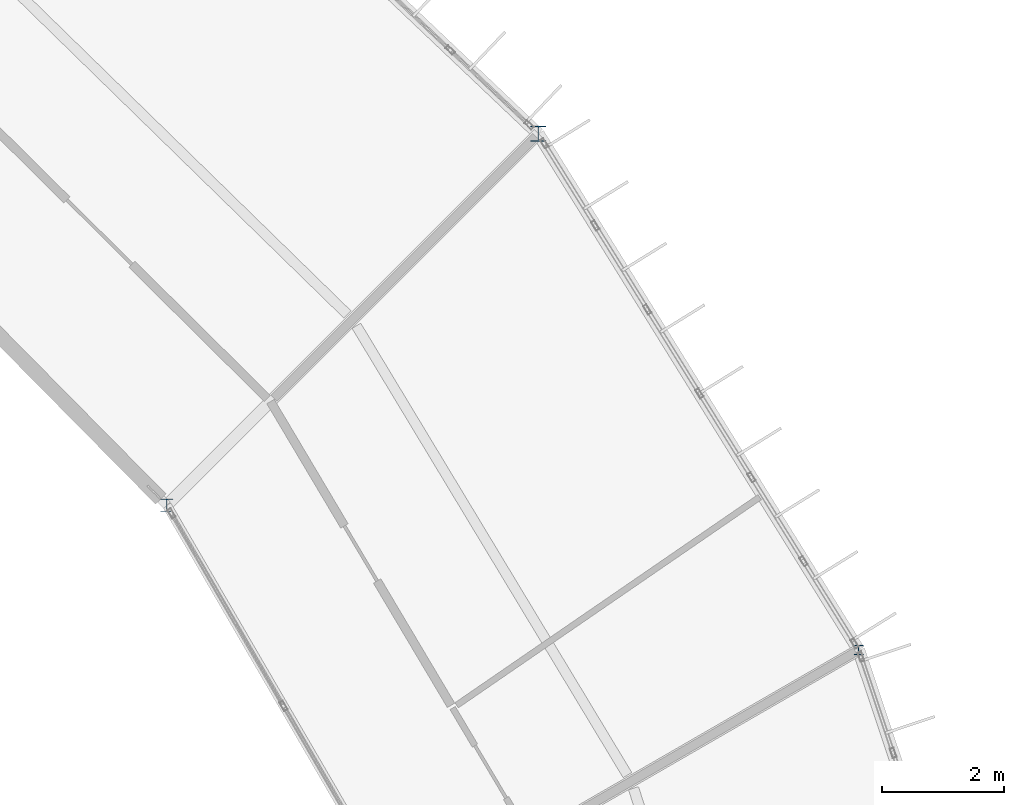
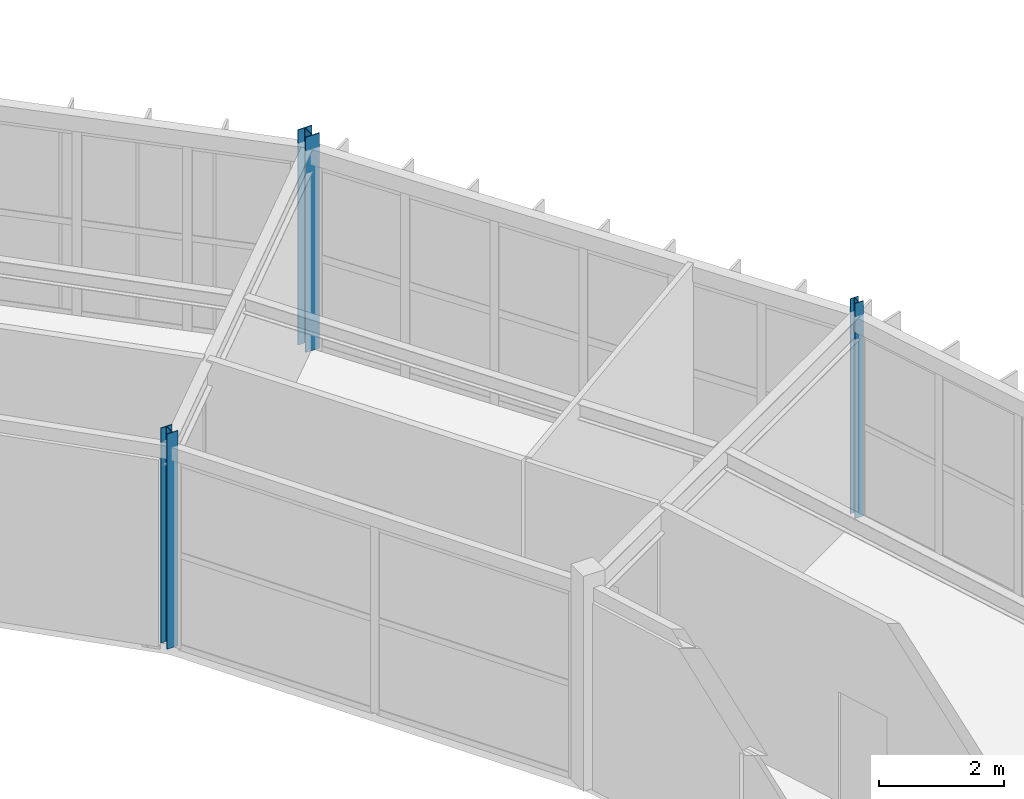
# One storey, part 14 of 134: 3 columns.
"""IFC4 building model written with IfcOpenShell, lengths in metres."""

import ifcopenshell
import ifcopenshell.guid

model = None  # the IFC model being written
_history = None  # IfcOwnerHistory: only IFC2X3 demands one
_inside = {}  # id of a spatial element -> (the spatial element, [elements in it])
_under = {}  # id of a project, library or spatial element -> (it, [spatial elements below it])
_declared = {}  # id of a project -> (the project, [libraries it declares])
_typed = {}  # id of a type object -> (the type object, [elements of that type])
_made_of = {}  # id of a material, layer set ... -> (it, [elements and type objects made of it])


def new_model(schema):
    """Start an empty IFC model of exactly this schema.

    Asked for "IFC4X3", IfcOpenShell would pick the latest addendum, in which some entities
    have other attributes; the version numbers below select the first issue.
    IFC2X3 requires an IfcOwnerHistory on every rooted entity: one is made here for all.
    """
    global model, _history
    if schema == "IFC4X3":
        model = ifcopenshell.file(schema_version=(4, 3, 0, 0))
    else:
        model = ifcopenshell.file(schema=schema)
    _inside.clear()
    _under.clear()
    _declared.clear()
    _typed.clear()
    _made_of.clear()
    _history = None
    if model.schema == "IFC2X3":
        org = make("IfcOrganization", Name="unknown")
        user = make(
            "IfcPersonAndOrganization",
            ThePerson=make("IfcPerson", FamilyName="unknown"),
            TheOrganization=org,
        )
        app = make(
            "IfcApplication",
            ApplicationDeveloper=org,
            Version="unknown",
            ApplicationFullName="unknown",
            ApplicationIdentifier="unknown",
        )
        _history = make(
            "IfcOwnerHistory",
            OwningUser=user,
            OwningApplication=app,
            ChangeAction="ADDED",
            CreationDate=0,
        )
    return model


def make(cls, **values):
    """One entity of the class cls with the attributes given. An attribute that is None is left unset."""
    return model.create_entity(
        cls, **{name: value for name, value in values.items() if value is not None}
    )


def rooted(cls, **values):
    """An entity with a GlobalId (a new one), such as an element, a storey or a relation."""
    return make(cls, GlobalId=ifcopenshell.guid.new(), OwnerHistory=_history, **values)


def si_unit(unit_type, name, prefix=None):
    """IfcSIUnit, for example si_unit("LENGTHUNIT", "METRE", prefix="MILLI")."""
    return make("IfcSIUnit", UnitType=unit_type, Prefix=prefix, Name=name)


def assignment(units):
    """IfcUnitAssignment: the units of a project."""
    return None if units is None else make("IfcUnitAssignment", Units=units)


def point(xyz):
    """IfcCartesianPoint."""
    return None if xyz is None else make("IfcCartesianPoint", Coordinates=xyz)


def direction(xyz):
    """IfcDirection."""
    return None if xyz is None else make("IfcDirection", DirectionRatios=xyz)


def frame(location, z_axis=None, x_axis=None):
    """IfcAxis2Placement3D, a coordinate frame: its origin and axes. An axis left out is left unset."""
    return make(
        "IfcAxis2Placement3D",
        Location=point(location),
        Axis=direction(z_axis),
        RefDirection=direction(x_axis),
    )


def frame_2d(location, x_axis=None):
    """IfcAxis2Placement2D, a coordinate frame in the plane: its origin and x axis."""
    return make(
        "IfcAxis2Placement2D", Location=point(location), RefDirection=direction(x_axis)
    )


def origin():
    """The frame at (0, 0, 0) with its axes left unset."""
    return frame((0.0, 0.0, 0.0))


def origin_2d():
    """The frame at (0, 0) in the plane with its x axis left unset."""
    return frame_2d((0.0, 0.0))


def place(relative_to, where):
    """IfcLocalPlacement: puts the frame where relative to a parent placement (None: the world)."""
    return make(
        "IfcLocalPlacement", PlacementRelTo=relative_to, RelativePlacement=where
    )


def context(
    kind, dimensions, precision=None, world=None, true_north=None, identifier=None
):
    """IfcGeometricRepresentationContext, for example the 3D "Model" context."""
    return make(
        "IfcGeometricRepresentationContext",
        ContextIdentifier=identifier,
        ContextType=kind,
        CoordinateSpaceDimension=dimensions,
        Precision=precision,
        WorldCoordinateSystem=world,
        TrueNorth=true_north,
    )


def subcontext(parent, identifier, kind, view, scale=None):
    """IfcGeometricRepresentationSubContext, for example "Body" below "Model"."""
    return make(
        "IfcGeometricRepresentationSubContext",
        ContextIdentifier=identifier,
        ContextType=kind,
        ParentContext=parent,
        TargetScale=scale,
        TargetView=view,
    )


def project(units=None, contexts=None):
    """IfcProject with its units and contexts."""
    return rooted(
        "IfcProject",
        Name="project",
        RepresentationContexts=contexts,
        UnitsInContext=assignment(units),
    )


def spatial(cls, under=None, at=None, **own):
    """A site, building, storey or space (cls), placed at a placement, below another one or the project."""
    s = rooted(cls, ObjectPlacement=at, **own)
    if under is not None:
        _under.setdefault(under.id(), (under, []))[1].append(s)
    return s


def profile(cls, at=None, kind="AREA", **sizes):
    """A parametric profile (cls). Its sizes go by their IFC names, for example OverallWidth=200.0."""
    return make(cls, ProfileType=kind, Position=at, **sizes)


def i_section(**sizes):
    """IfcIShapeProfileDef."""
    return profile("IfcIShapeProfileDef", **sizes)


def extrude(swept, where, along, depth):
    """IfcExtrudedAreaSolid: the profile swept, set in the frame where, extruded along a direction by depth."""
    return make(
        "IfcExtrudedAreaSolid",
        SweptArea=swept,
        Position=where,
        ExtrudedDirection=direction(along),
        Depth=depth,
    )


def shape(context_of_items, identifier, shape_type, items):
    """IfcShapeRepresentation: the items that make up one representation, for example the "Body"."""
    return make(
        "IfcShapeRepresentation",
        ContextOfItems=context_of_items,
        RepresentationIdentifier=identifier,
        RepresentationType=shape_type,
        Items=items,
    )


def material(Name=None, Category=None):
    """IfcMaterial."""
    return make("IfcMaterial", Name=Name, Category=Category)


def material_profile(
    of_material, cross_section, Name=None, Category=None, Priority=None
):
    """IfcMaterialProfile: a cross section and its material."""
    return make(
        "IfcMaterialProfile",
        Name=Name,
        Material=of_material,
        Profile=cross_section,
        Priority=Priority,
        Category=Category,
    )


def profile_set(profiles, Name=None, composite=None):
    """IfcMaterialProfileSet."""
    return make(
        "IfcMaterialProfileSet",
        Name=Name,
        MaterialProfiles=profiles,
        CompositeProfile=composite,
    )


def made_of(thing, what):
    """Note that an element or type object is made of a material, layer set ...; save() writes the relation."""
    if what is not None:
        _made_of.setdefault(what.id(), (what, []))[1].append(thing)
    return thing


def type_object(cls, material=None, **own):
    """A type object (cls), such as IfcWallType, which elements share."""
    return made_of(rooted(cls, **own), material)


def element(
    cls,
    number,
    at=None,
    inside=None,
    cuts=None,
    type_object=None,
    material=None,
    context=None,
    identifier="Body",
    shape_type=None,
    held_by="IfcProductDefinitionShape",
    body=None,
    shapes=None,
    **own,
):
    """One element of the class cls, such as IfcWall. Its Tag is "e" and its number.

    at: its placement. inside: the storey or other place that contains it. cuts: it is an
    opening in that element (IfcRelVoidsElement). A single representation is given by context,
    identifier, shape_type and body (its items); several are given by shapes. held_by: the class
    of the entity that holds the representations. save() writes the other relations.
    """
    e = rooted(cls, Tag="e%d" % number, ObjectPlacement=at, **own)
    if body is not None:
        shapes = [shape(context, identifier, shape_type, body)]
    if shapes is not None:
        e.Representation = make(held_by, Representations=shapes)
    if inside is not None:
        _inside.setdefault(inside.id(), (inside, []))[1].append(e)
    if cuts is not None:
        rooted(
            "IfcRelVoidsElement", RelatingBuildingElement=cuts, RelatedOpeningElement=e
        )
    if type_object is not None:
        _typed.setdefault(type_object.id(), (type_object, []))[1].append(e)
    return made_of(e, material)


def aggregate(whole, parts):
    """IfcRelAggregates: a whole, such as a stair, and the parts it consists of."""
    return rooted("IfcRelAggregates", RelatingObject=whole, RelatedObjects=parts)


def save(model, path):
    """Write the relations noted so far, then the file.

    IfcRelAggregates (storeys below a building ...), IfcRelContainedInSpatialStructure (elements
    in a storey), IfcRelDefinesByType, IfcRelAssociatesMaterial and IfcRelDeclares: one each for
    every whole, place, type object, material and project.
    """
    for whole, parts in _under.values():
        aggregate(whole, parts)
    for where, things in _inside.values():
        rooted(
            "IfcRelContainedInSpatialStructure",
            RelatedElements=things,
            RelatingStructure=where,
        )
    for kind, things in _typed.values():
        rooted("IfcRelDefinesByType", RelatedObjects=things, RelatingType=kind)
    for what, things in _made_of.values():
        rooted("IfcRelAssociatesMaterial", RelatedObjects=things, RelatingMaterial=what)
    for by, libraries in _declared.values():
        rooted("IfcRelDeclares", RelatingContext=by, RelatedDefinitions=libraries)
    model.write(path)


model = new_model("IFC4")

# Units and contexts
model_context = context("Model", 3, precision=1e-05, world=origin(), true_north=direction((0.0, 1.0)))
body_context = subcontext(model_context, "Body", "Model", "MODEL_VIEW")
ifc_project = project(units=[si_unit("LENGTHUNIT", "METRE"), si_unit("AREAUNIT", "SQUARE_METRE"), si_unit("VOLUMEUNIT", "CUBIC_METRE"), si_unit("PLANEANGLEUNIT", "RADIAN"), si_unit("MASSUNIT", "GRAM", prefix="KILO")], contexts=[model_context])

# Site, building, storey
site_placement = place(None, origin())
site = spatial("IfcSite", under=ifc_project, at=site_placement, CompositionType="ELEMENT")
building_placement = place(site_placement, origin())
building = spatial("IfcBuilding", under=site, at=building_placement, Name="Karori Crest Natural Sciences Institute", CompositionType="ELEMENT")
storey_placement = place(building_placement, frame((0.0, 0.0, 21.699951171875)))
storey = spatial("IfcBuildingStorey", under=building, at=storey_placement, Name="L05", CompositionType="ELEMENT", Elevation=21.699951171875)

# Columns
ifc_material = material(Name="Structural steel AS/NZS 3679.1 Grade 350", Category="steel")
ifc_material_profile_1 = material_profile(ifc_material, i_section(OverallWidth=0.256103515625, OverallDepth=0.260009765625, WebThickness=0.010498046875, FlangeThickness=0.017333984375, FilletRadius=0.013916015625, at=origin_2d()), Name="250UC89.5")
ifc_profile_set_1 = profile_set([ifc_material_profile_1], Name="Structural steel AS/NZS 3679.1 Grade 350")
column_type_1 = type_object("IfcColumnType", Name="CT-06", PredefinedType="COLUMN", material=ifc_profile_set_1)
column_1_placement = place(storey_placement, frame((89.734619140625, 78.75, 0.0), z_axis=(0.0, 0.0, 1.0), x_axis=(1.0, 0.0, 0.0)))
element("IfcColumn", 1, at=column_1_placement, inside=storey, type_object=column_type_1, Name="Column C-0067", PredefinedType="COLUMN", context=body_context, shape_type="SweptSolid", body=[
    extrude(i_section(OverallWidth=0.256103515625, OverallDepth=0.260009765625, WebThickness=0.010498046875, FlangeThickness=0.017333984375, FilletRadius=0.013916015625, at=origin_2d()), origin(), (0.0, 0.0, 1.0), 4.199951171875),
])
ifc_material_profile_2 = material_profile(ifc_material, i_section(OverallWidth=0.205078125, OverallDepth=0.2099609375, WebThickness=0.00927734375, FlangeThickness=0.01416015625, FilletRadius=0.010986328125, at=origin_2d()), Name="200UC59.5")
ifc_profile_set_2 = profile_set([ifc_material_profile_2], Name="Structural steel AS/NZS 3679.1 Grade 350")
column_type_2 = type_object("IfcColumnType", Name="CT-08", PredefinedType="COLUMN", material=ifc_profile_set_2)
column_2_placement = place(storey_placement, frame((83.6533203125, 72.668701171875, 0.0), z_axis=(0.0, 0.0, 1.0), x_axis=(1.0, 0.0, 0.0)))
element("IfcColumn", 2, at=column_2_placement, inside=storey, type_object=column_type_2, Name="Column C-0068", PredefinedType="COLUMN", context=body_context, shape_type="SweptSolid", body=[
    extrude(i_section(OverallWidth=0.205078125, OverallDepth=0.2099609375, WebThickness=0.00927734375, FlangeThickness=0.01416015625, FilletRadius=0.010986328125, at=origin_2d()), origin(), (0.0, 0.0, 1.0), 4.199951171875),
])
ifc_material_profile_3 = material_profile(ifc_material, i_section(OverallWidth=0.154052734375, OverallDepth=0.162109375, WebThickness=0.008056640625, FlangeThickness=0.011474609375, FilletRadius=0.009033203125, at=origin_2d()), Name="150UC37.2")
ifc_profile_set_3 = profile_set([ifc_material_profile_3], Name="Structural steel AS/NZS 3679.1 Grade 350")
column_type_3 = type_object("IfcColumnType", Name="CT-26", PredefinedType="COLUMN", material=ifc_profile_set_3)
column_3_placement = place(storey_placement, frame((94.978759765625, 70.300048828125, 0.0), z_axis=(0.0, 0.0, 1.0), x_axis=(1.0, 0.0, 0.0)))
element("IfcColumn", 3, at=column_3_placement, inside=storey, type_object=column_type_3, Name="Column C-0049", PredefinedType="COLUMN", context=body_context, shape_type="SweptSolid", body=[
    extrude(i_section(OverallWidth=0.154052734375, OverallDepth=0.162109375, WebThickness=0.008056640625, FlangeThickness=0.011474609375, FilletRadius=0.009033203125, at=origin_2d()), origin(), (0.0, 0.0, 1.0), 4.199951171875),
])

save(model, "model.ifc")
